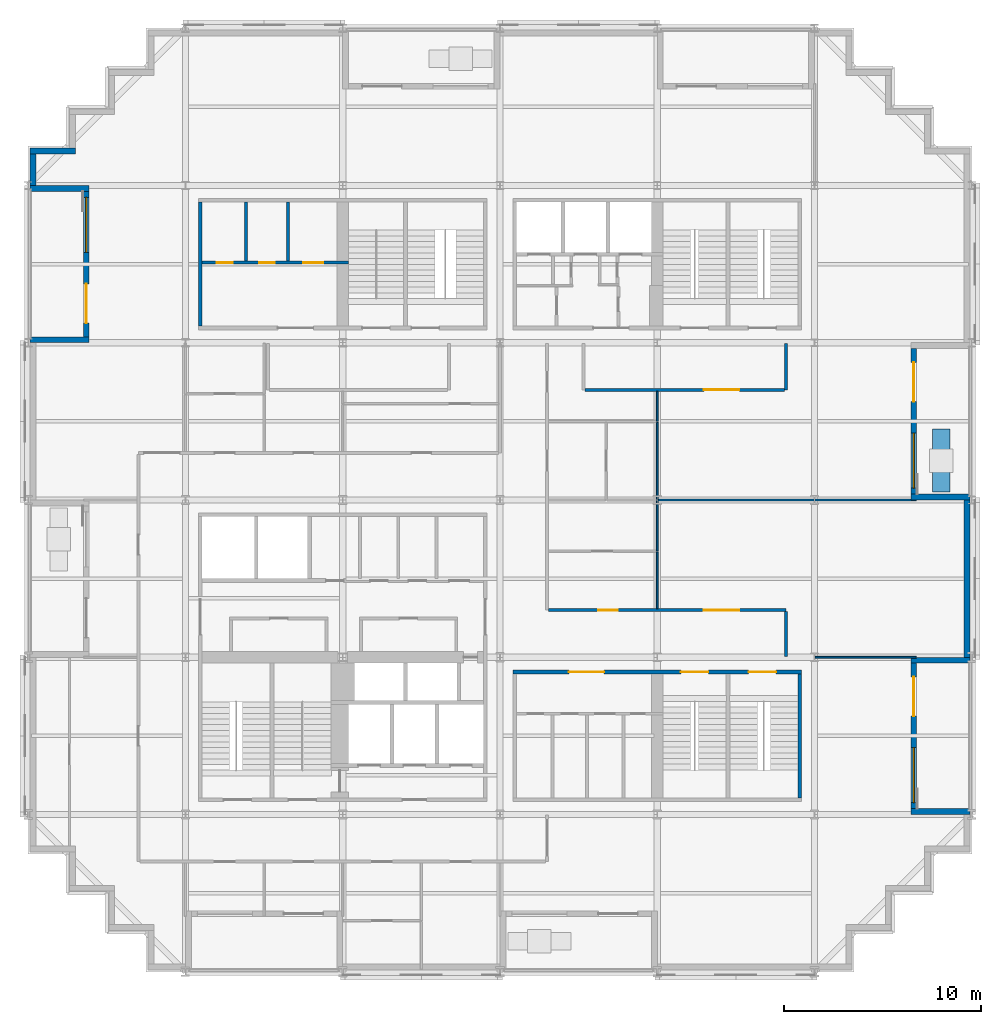
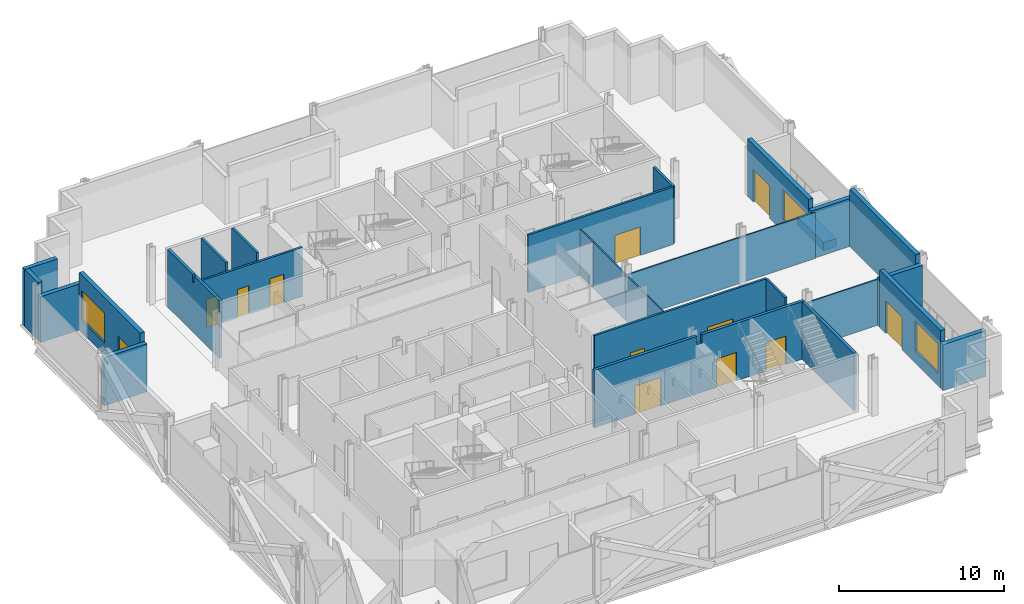
# One storey, part 8 of 14: 28 walls, 12 doors, 3 windows, 15 openings.
"""IFC4 building model written with IfcOpenShell, lengths in metres."""

from ifc_helpers import new_model, si_unit, direction, frame, frame_2d, origin, place, context, subcontext, project, spatial, polyline, rectangle, outline, extrude, material, layer, layer_set, type_object, element, fill, save


model = new_model("IFC4")

# Units and contexts
model_context = context("Model", 3, precision=1e-05, world=origin(), true_north=direction((0.0, 1.0)))
body_context = subcontext(model_context, "Body", "Model", "MODEL_VIEW")
ifc_project = project(units=[si_unit("LENGTHUNIT", "METRE"), si_unit("AREAUNIT", "SQUARE_METRE"), si_unit("VOLUMEUNIT", "CUBIC_METRE"), si_unit("PLANEANGLEUNIT", "RADIAN"), si_unit("MASSUNIT", "GRAM", prefix="KILO")], contexts=[model_context])

# Site, building, storey
site_placement = place(None, origin())
site = spatial("IfcSite", under=ifc_project, at=site_placement, CompositionType="ELEMENT")
building_placement = place(site_placement, origin())
building = spatial("IfcBuilding", under=site, at=building_placement, Name="Immortelle Media Tower", CompositionType="ELEMENT")
storey_placement = place(building_placement, frame((0.0, 0.0, 39.199951171875)))
storey = spatial("IfcBuildingStorey", under=building, at=storey_placement, Name="L05", CompositionType="ELEMENT", Elevation=39.199951171875)

# Wall, openings, doors
ifc_material_1 = material(Name="Fire-rated gypsum board", Category="gypsum")
ifc_layer_1 = layer(ifc_material_1, 0.02490234375)
ifc_material_2 = material(Name="Steel ASTM A653 SS Gr 50 stud frame with mineral wool", Category="steel")
ifc_layer_2 = layer(ifc_material_2, 0.10009765625)
ifc_layer_3 = layer(ifc_material_1, 0.02490234375)
ifc_layer_set_1 = layer_set([ifc_layer_1, ifc_layer_2, ifc_layer_3], Name="Steel ASTM A653 SS Gr 50 stud frame with mineral wool")
wall_type_1 = type_object("IfcWallType", Name="Core partition 150", PredefinedType="PARTITIONING", material=ifc_layer_set_1)
wall_1_placement = place(storey_placement, frame((8.85009765625, 36.074951171875, 0.0), z_axis=(0.0, 0.0, 1.0), x_axis=(1.0, 0.0, 0.0)))
wall_1 = element("IfcWall", 1, at=wall_1_placement, inside=storey, type_object=wall_type_1, Name="Core partition NW", PredefinedType="PARTITIONING", context=body_context, shape_type="SweptSolid", body=[
    extrude(rectangle(XDim=7.449951171875, YDim=0.14990234375, at=frame_2d((3.72509765625, 0.0))), origin(), (0.0, 0.0, 1.0), 3.632080078125),
])
opening_1_placement = place(wall_1_placement, frame((0.75, 0.0, 0.0)))
opening_1 = element("IfcOpeningElement", 2, at=opening_1_placement, cuts=wall_1, Name="Opening N1-K044", PredefinedType="OPENING", context=body_context, shape_type="SweptSolid", body=[
    extrude(rectangle(XDim=0.800048828125, YDim=2.10009765625, at=frame_2d((0.39990234375, 1.050048828125))), frame((0.0, 0.0849609375, 0.0), z_axis=(0.0, -1.0, 0.0), x_axis=(1.0, 0.0, 0.0)), (0.0, 0.0, 1.0), 0.169921875),
])
opening_2_placement = place(wall_1_placement, frame((2.89990234375, 0.0, 0.0)))
opening_2 = element("IfcOpeningElement", 3, at=opening_2_placement, cuts=wall_1, Name="Opening N1-K045", PredefinedType="OPENING", context=body_context, shape_type="SweptSolid", body=[
    extrude(rectangle(XDim=0.800048828125, YDim=2.10009765625, at=frame_2d((0.39990234375, 1.050048828125))), frame((0.0, 0.0849609375, 0.0), z_axis=(0.0, -1.0, 0.0), x_axis=(1.0, 0.0, 0.0)), (0.0, 0.0, 1.0), 0.169921875),
])
opening_3_placement = place(wall_1_placement, frame((5.14990234375, 0.0, 0.0)))
opening_3 = element("IfcOpeningElement", 4, at=opening_3_placement, cuts=wall_1, Name="Opening N1-K046", PredefinedType="OPENING", context=body_context, shape_type="SweptSolid", body=[
    extrude(rectangle(XDim=1.0, YDim=2.10009765625, at=frame_2d((0.5, 1.050048828125))), frame((0.0, 0.0849609375, 0.0), z_axis=(0.0, -1.0, 0.0), x_axis=(1.0, 0.0, 0.0)), (0.0, 0.0, 1.0), 0.169921875),
])
ifc_material_3 = material(Name="Timber", Category="wood")
door_type_1 = type_object("IfcDoorType", Name="Accessible toilet door 1000 x 2100", OperationType="NOTDEFINED", PredefinedType="NOTDEFINED", material=ifc_material_3)
door_1_placement = place(opening_3_placement, origin())
door_1 = element("IfcDoor", 5, at=door_1_placement, inside=storey, type_object=door_type_1, Name="Accessible toilet N1-K046", OperationType="SINGLE_SWING_LEFT", OverallHeight=2.10009765625, OverallWidth=1.0, PredefinedType="NOTDEFINED", context=body_context, shape_type="SweptSolid", body=[
    extrude(rectangle(XDim=1.0, YDim=2.10009765625, at=frame_2d((0.5, 1.050048828125))), frame((0.0, 0.02490234375, 0.0), z_axis=(0.0, -1.0, 0.0), x_axis=(1.0, 0.0, 0.0)), (0.0, 0.0, 1.0), 0.050048828125),
])
fill(opening_3, door_1)
door_type_2 = type_object("IfcDoorType", Name="Toilet door 800 x 2100", OperationType="NOTDEFINED", PredefinedType="NOTDEFINED", material=ifc_material_3)
door_2_placement = place(opening_1_placement, origin())
door_2 = element("IfcDoor", 6, at=door_2_placement, inside=storey, type_object=door_type_2, Name="Toilet N1-K044", OperationType="SINGLE_SWING_LEFT", OverallHeight=2.10009765625, OverallWidth=0.800048828125, PredefinedType="NOTDEFINED", context=body_context, shape_type="SweptSolid", body=[
    extrude(rectangle(XDim=0.800048828125, YDim=2.10009765625, at=frame_2d((0.39990234375, 1.050048828125))), frame((0.0, 0.02490234375, 0.0), z_axis=(0.0, -1.0, 0.0), x_axis=(1.0, 0.0, 0.0)), (0.0, 0.0, 1.0), 0.050048828125),
])
fill(opening_1, door_2)
door_3_placement = place(opening_2_placement, origin())
door_3 = element("IfcDoor", 7, at=door_3_placement, inside=storey, type_object=door_type_2, Name="Toilet N1-K045", OperationType="SINGLE_SWING_LEFT", OverallHeight=2.10009765625, OverallWidth=0.800048828125, PredefinedType="NOTDEFINED", context=body_context, shape_type="SweptSolid", body=[
    extrude(rectangle(XDim=0.800048828125, YDim=2.10009765625, at=frame_2d((0.39990234375, 1.050048828125))), frame((0.0, 0.02490234375, 0.0), z_axis=(0.0, -1.0, 0.0), x_axis=(1.0, 0.0, 0.0)), (0.0, 0.0, 1.0), 0.050048828125),
])
fill(opening_2, door_3)

# Walls
for number, where, z_axis, x_axis, name in (
    (8, (11.074951171875, 36.14990234375, 0.0), (0.0, 0.0, 1.0), (0.0, 1.0, 0.0), "Core partition NW"),
    (9, (13.22509765625, 36.14990234375, 0.0), (0.0, 0.0, 1.0), (0.0, 1.0, 0.0), "Core partition NW"),
):
    element("IfcWall", number, at=place(storey_placement, frame(where, z_axis=z_axis, x_axis=x_axis)), inside=storey, type_object=wall_type_1, Name=name, PredefinedType="PARTITIONING", context=body_context, shape_type="SweptSolid", body=[
        extrude(rectangle(XDim=3.0, YDim=0.14990234375, at=frame_2d((1.5, 0.0))), origin(), (0.0, 0.0, 1.0), 4.25),
    ])
ifc_layer_4 = layer(ifc_material_1, 0.03759765625)
ifc_layer_5 = layer(ifc_material_2, 0.125)
ifc_layer_6 = layer(ifc_material_1, 0.03759765625)
ifc_layer_set_2 = layer_set([ifc_layer_4, ifc_layer_5, ifc_layer_6], Name="Steel ASTM A653 SS Gr 50 stud frame with mineral wool")
wall_type_2 = type_object("IfcWallType", Name="Core shaft wall 200", PredefinedType="PARTITIONING", material=ifc_layer_set_2)
wall_2_placement = place(storey_placement, frame((8.75, 32.85009765625, 0.0), z_axis=(0.0, 0.0, 1.0), x_axis=(0.0, 1.0, 0.0)))
element("IfcWall", 10, at=wall_2_placement, inside=storey, type_object=wall_type_2, Name="Core shaft wall NW", PredefinedType="PARTITIONING", context=body_context, shape_type="SweptSolid", body=[
    extrude(outline(polyline([(0.0, 0.0), (6.2998046875, 0.0), (6.300048828125, 4.25), (3.238525390625, 4.25), (3.237548828125, 3.7080078125), (3.0625, 3.7080078125), (3.0615234375, 4.25), (0.0, 4.25), (0.0, 0.0)])), frame((0.0, 0.10009765625, 0.0), z_axis=(0.0, -1.0, 0.0), x_axis=(1.0, 0.0, 0.0)), (0.0, 0.0, 1.0), 0.199951171875),
])
ifc_layer_7 = layer(ifc_material_1, 0.012451171875)
ifc_layer_8 = layer(ifc_material_2, 0.125)
ifc_layer_9 = layer(ifc_material_1, 0.012451171875)
ifc_layer_set_3 = layer_set([ifc_layer_7, ifc_layer_8, ifc_layer_9], Name="Steel ASTM A653 SS Gr 50 stud frame with mineral wool")
wall_type_3 = type_object("IfcWallType", Name="Corridor wall 150", PredefinedType="PARTITIONING", material=ifc_layer_set_3)
wall_3_placement = place(storey_placement, frame((38.550048828125, 16.030029296875, 0.0), z_axis=(0.0, 0.0, 1.0), x_axis=(0.0, 1.0, 0.0)))
element("IfcWall", 11, at=wall_3_placement, inside=storey, type_object=wall_type_3, Name="Partition L05-014", PredefinedType="PARTITIONING", context=body_context, shape_type="SweptSolid", body=[
    extrude(rectangle(XDim=2.294921875, YDim=0.14990234375, at=frame_2d((1.1474609375, 0.0))), origin(), (0.0, 0.0, 1.0), 4.25),
])

# Wall, openings, doors
wall_4_placement = place(storey_placement, frame((26.47509765625, 18.39990234375, 0.0), z_axis=(0.0, 0.0, 1.0), x_axis=(1.0, 0.0, 0.0)))
wall_4 = element("IfcWall", 12, at=wall_4_placement, inside=storey, type_object=wall_type_3, Name="Partition L05-015", PredefinedType="PARTITIONING", context=body_context, shape_type="SweptSolid", body=[
    extrude(rectangle(XDim=12.074951171875, YDim=0.14990234375, at=frame_2d((6.03759765625, 0.0))), origin(), (0.0, 0.0, 1.0), 4.25),
])
opening_4_placement = place(wall_4_placement, frame((7.89990234375, 0.0, 0.0)))
opening_4 = element("IfcOpeningElement", 13, at=opening_4_placement, cuts=wall_4, Name="Opening N1-F010", PredefinedType="OPENING", context=body_context, shape_type="SweptSolid", body=[
    extrude(rectangle(XDim=1.800048828125, YDim=2.10009765625, at=frame_2d((0.89990234375, 1.050048828125))), frame((0.0, 0.0849609375, 0.0), z_axis=(0.0, -1.0, 0.0), x_axis=(1.0, 0.0, 0.0)), (0.0, 0.0, 1.0), 0.169921875),
])
opening_5_placement = place(wall_4_placement, frame((2.52490234375, 0.0, 0.0)))
opening_5 = element("IfcOpeningElement", 14, at=opening_5_placement, cuts=wall_4, Name="Opening N1-F011", PredefinedType="OPENING", context=body_context, shape_type="SweptSolid", body=[
    extrude(rectangle(XDim=1.0, YDim=2.10009765625, at=frame_2d((0.5, 1.050048828125))), frame((0.0, 0.0849609375, 0.0), z_axis=(0.0, -1.0, 0.0), x_axis=(1.0, 0.0, 0.0)), (0.0, 0.0, 1.0), 0.169921875),
])
ifc_material_4 = material(Name="Timber veneered door leaf, galvanised steel frame ASTM A653", Category="steel")
door_type_3 = type_object("IfcDoorType", Name="Room door 1000 x 2100", OperationType="NOTDEFINED", PredefinedType="DOOR", material=ifc_material_4)
door_4_placement = place(opening_5_placement, origin())
door_4 = element("IfcDoor", 15, at=door_4_placement, inside=storey, type_object=door_type_3, Name="Door N1-F011", OperationType="SINGLE_SWING_RIGHT", OverallHeight=2.10009765625, OverallWidth=1.0, PredefinedType="DOOR", context=body_context, shape_type="SweptSolid", body=[
    extrude(rectangle(XDim=1.0, YDim=2.10009765625, at=frame_2d((0.5, 1.050048828125))), frame((0.0, 0.02490234375, 0.0), z_axis=(0.0, -1.0, 0.0), x_axis=(1.0, 0.0, 0.0)), (0.0, 0.0, 1.0), 0.050048828125),
])
fill(opening_5, door_4)
door_type_4 = type_object("IfcDoorType", Name="Room door 1800 x 2100", OperationType="DOUBLE_DOOR_SINGLE_SWING", PredefinedType="DOOR", material=ifc_material_4)
door_5_placement = place(opening_4_placement, origin())
door_5 = element("IfcDoor", 16, at=door_5_placement, inside=storey, type_object=door_type_4, Name="Door N1-F010", OperationType="DOUBLE_DOOR_SINGLE_SWING", OverallHeight=2.10009765625, OverallWidth=1.800048828125, PredefinedType="DOOR", context=body_context, shape_type="SweptSolid", body=[
    extrude(rectangle(XDim=1.800048828125, YDim=2.10009765625, at=frame_2d((0.89990234375, 1.050048828125))), frame((0.0, 0.02490234375, 0.0), z_axis=(0.0, -1.0, 0.0), x_axis=(1.0, 0.0, 0.0)), (0.0, 0.0, 1.0), 0.050048828125),
])
fill(opening_4, door_5)

# Wall, opening, door
wall_5_placement = place(storey_placement, frame((28.324951171875, 29.60009765625, 0.0), z_axis=(0.0, 0.0, 1.0), x_axis=(1.0, 0.0, 0.0)))
wall_5 = element("IfcWall", 17, at=wall_5_placement, inside=storey, type_object=wall_type_3, Name="Partition L05-042", PredefinedType="PARTITIONING", context=body_context, shape_type="SweptSolid", body=[
    extrude(rectangle(XDim=10.150146484375, YDim=0.14990234375, at=frame_2d((5.0751953125, 0.0))), origin(), (0.0, 0.0, 1.0), 4.25),
])
opening_6_placement = place(wall_5_placement, frame((6.050048828125, 0.0, 0.0)))
opening_6 = element("IfcOpeningElement", 18, at=opening_6_placement, cuts=wall_5, Name="Opening N1-F021", PredefinedType="OPENING", context=body_context, shape_type="SweptSolid", body=[
    extrude(rectangle(XDim=1.800048828125, YDim=2.10009765625, at=frame_2d((0.89990234375, 1.050048828125))), frame((0.0, 0.0849609375, 0.0), z_axis=(0.0, -1.0, 0.0), x_axis=(1.0, 0.0, 0.0)), (0.0, 0.0, 1.0), 0.169921875),
])
door_6_placement = place(opening_6_placement, origin())
door_6 = element("IfcDoor", 19, at=door_6_placement, inside=storey, type_object=door_type_4, Name="Door N1-F021", OperationType="DOUBLE_DOOR_SINGLE_SWING", OverallHeight=2.10009765625, OverallWidth=1.800048828125, PredefinedType="DOOR", context=body_context, shape_type="SweptSolid", body=[
    extrude(rectangle(XDim=1.800048828125, YDim=2.10009765625, at=frame_2d((0.89990234375, 1.050048828125))), frame((0.0, 0.02490234375, 0.0), z_axis=(0.0, -1.0, 0.0), x_axis=(1.0, 0.0, 0.0)), (0.0, 0.0, 1.0), 0.050048828125),
])
fill(opening_6, door_6)

# Walls
wall_6_placement = place(storey_placement, frame((38.550048828125, 29.60009765625, 0.0), z_axis=(0.0, 0.0, 1.0), x_axis=(0.0, 1.0, 0.0)))
element("IfcWall", 20, at=wall_6_placement, inside=storey, type_object=wall_type_3, Name="Partition L05-044", PredefinedType="PARTITIONING", context=body_context, shape_type="SweptSolid", body=[
    extrude(rectangle(XDim=2.369873046875, YDim=0.14990234375, at=frame_2d((1.18505859375, 0.0))), origin(), (0.0, 0.0, 1.0), 4.25),
])
ifc_material_5 = material(Name="Pale aluminium cladding panel", Category="aluminium")
ifc_layer_10 = layer(ifc_material_5, 0.030029296875)
ifc_layer_11 = layer(ifc_material_2, 0.257568359375)
ifc_material_6 = material(Name="Moisture-resistant gypsum board", Category="gypsum")
ifc_layer_12 = layer(ifc_material_6, 0.012451171875)
ifc_layer_set_4 = layer_set([ifc_layer_10, ifc_layer_11, ifc_layer_12], Name="Steel ASTM A653 SS Gr 50 stud frame with mineral wool")
wall_type_4 = type_object("IfcWallType", Name="Facade wall 300", PredefinedType="SOLIDWALL", material=ifc_layer_set_4)
wall_7_placement = place(storey_placement, frame((0.25, 41.60009765625, 0.0), z_axis=(0.0, 0.0, 1.0), x_axis=(0.0, -1.0, 0.0)))
element("IfcWall", 21, at=wall_7_placement, inside=storey, type_object=wall_type_4, Name="Facade wall L05 W0", PredefinedType="SOLIDWALL", context=body_context, shape_type="SweptSolid", body=[
    extrude(rectangle(XDim=1.60009765625, YDim=0.300048828125, at=frame_2d((0.800048828125, 0.0))), origin(), (0.0, 0.0, 1.0), 4.25),
])

# Wall, openings, door, window
wall_8_placement = place(storey_placement, frame((2.949951171875, 39.699951171875, 0.0), z_axis=(0.0, 0.0, 1.0), x_axis=(0.0, -1.0, 0.0)))
wall_8 = element("IfcWall", 22, at=wall_8_placement, inside=storey, type_object=wall_type_4, Name="Loggia wall L05 W0", PredefinedType="SOLIDWALL", context=body_context, shape_type="SweptSolid", body=[
    extrude(rectangle(XDim=7.39990234375, YDim=0.300048828125, at=frame_2d((3.699951171875, 0.0))), origin(), (0.0, 0.0, 1.0), 4.25),
])
opening_7_placement = place(wall_8_placement, frame((0.300048828125, 0.0, 0.89990234375)))
opening_7 = element("IfcOpeningElement", 23, at=opening_7_placement, cuts=wall_8, Name="Opening W1", PredefinedType="OPENING", context=body_context, shape_type="SweptSolid", body=[
    extrude(rectangle(XDim=2.800048828125, YDim=2.199951171875, at=frame_2d((1.39990234375, 1.10009765625))), frame((0.0, 0.159912109375, 0.0), z_axis=(0.0, -1.0, 0.0), x_axis=(1.0, 0.0, 0.0)), (0.0, 0.0, 1.0), 0.320068359375),
])
opening_8_placement = place(wall_8_placement, frame((4.699951171875, 0.0, 0.0)))
opening_8 = element("IfcOpeningElement", 24, at=opening_8_placement, cuts=wall_8, Name="Opening N1-E001", PredefinedType="OPENING", context=body_context, shape_type="SweptSolid", body=[
    extrude(rectangle(XDim=2.0, YDim=2.39990234375, at=frame_2d((1.0, 1.199951171875))), frame((0.0, 0.159912109375, 0.0), z_axis=(0.0, -1.0, 0.0), x_axis=(1.0, 0.0, 0.0)), (0.0, 0.0, 1.0), 0.320068359375),
])
ifc_material_7 = material(Name="Aluminium frame, glazed leaves", Category="aluminium")
door_type_5 = type_object("IfcDoorType", Name="Loggia door 2000 x 2400", OperationType="DOUBLE_DOOR_SINGLE_SWING", PredefinedType="DOOR", material=ifc_material_7)
door_7_placement = place(opening_8_placement, origin())
door_7 = element("IfcDoor", 25, at=door_7_placement, inside=storey, type_object=door_type_5, Name="Door N1-E001", OperationType="DOUBLE_DOOR_SINGLE_SWING", OverallHeight=2.39990234375, OverallWidth=2.0, PredefinedType="DOOR", context=body_context, shape_type="SweptSolid", body=[
    extrude(rectangle(XDim=2.0, YDim=2.39990234375, at=frame_2d((1.0, 1.199951171875))), frame((0.0, 0.02490234375, 0.0), z_axis=(0.0, -1.0, 0.0), x_axis=(1.0, 0.0, 0.0)), (0.0, 0.0, 1.0), 0.050048828125),
])
fill(opening_8, door_7)
ifc_material_8 = material(Name="Aluminium frame", Category="aluminium")
window_type = type_object("IfcWindowType", Name="Window 2800 x 2200", PartitioningType="SINGLE_PANEL", PredefinedType="WINDOW", material=ifc_material_8)
window_1_placement = place(opening_7_placement, origin())
window_1 = element("IfcWindow", 26, at=window_1_placement, inside=storey, type_object=window_type, Name="Window L05 L05-R0-B0", OverallHeight=2.199951171875, OverallWidth=2.800048828125, PartitioningType="SINGLE_PANEL", PredefinedType="WINDOW", context=body_context, shape_type="SweptSolid", body=[
    extrude(rectangle(XDim=2.800048828125, YDim=2.199951171875, at=frame_2d((1.39990234375, 1.10009765625))), frame((0.0, 0.030029296875, 0.0), z_axis=(0.0, -1.0, 0.0), x_axis=(1.0, 0.0, 0.0)), (0.0, 0.0, 1.0), 0.06005859375),
])
fill(opening_7, window_1)

# Walls
wall_9_placement = place(storey_placement, frame((0.10009765625, 39.85009765625, 0.0), z_axis=(0.0, 0.0, 1.0), x_axis=(1.0, 0.0, 0.0)))
element("IfcWall", 27, at=wall_9_placement, inside=storey, type_object=wall_type_4, Name="Loggia cheek wall L05 W", PredefinedType="SOLIDWALL", context=body_context, shape_type="SweptSolid", body=[
    extrude(rectangle(XDim=3.0, YDim=0.300048828125, at=frame_2d((1.5, 0.0))), origin(), (0.0, 0.0, 1.0), 3.39013671875),
])
wall_10_placement = place(storey_placement, frame((0.10009765625, 32.14990234375, 0.0), z_axis=(0.0, 0.0, 1.0), x_axis=(1.0, 0.0, 0.0)))
element("IfcWall", 28, at=wall_10_placement, inside=storey, type_object=wall_type_4, Name="Loggia cheek wall L05 W", PredefinedType="SOLIDWALL", context=body_context, shape_type="SweptSolid", body=[
    extrude(rectangle(XDim=3.0, YDim=0.300048828125, at=frame_2d((1.5, 0.0))), origin(), (0.0, 0.0, 1.0), 3.552978515625),
])

# Wall, openings, door, window
wall_11_placement = place(storey_placement, frame((45.050048828125, 8.300048828125, 0.0), z_axis=(0.0, 0.0, 1.0), x_axis=(0.0, 1.0, 0.0)))
wall_11 = element("IfcWall", 29, at=wall_11_placement, inside=storey, type_object=wall_type_4, Name="Loggia wall L05 E14", PredefinedType="SOLIDWALL", context=body_context, shape_type="SweptSolid", body=[
    extrude(rectangle(XDim=7.39990234375, YDim=0.300048828125, at=frame_2d((3.699951171875, 0.0))), origin(), (0.0, 0.0, 1.0), 4.25),
])
opening_9_placement = place(wall_11_placement, frame((0.300048828125, 0.0, 0.89990234375)))
opening_9 = element("IfcOpeningElement", 30, at=opening_9_placement, cuts=wall_11, Name="Opening W1", PredefinedType="OPENING", context=body_context, shape_type="SweptSolid", body=[
    extrude(rectangle(XDim=2.800048828125, YDim=2.199951171875, at=frame_2d((1.39990234375, 1.10009765625))), frame((0.0, 0.159912109375, 0.0), z_axis=(0.0, -1.0, 0.0), x_axis=(1.0, 0.0, 0.0)), (0.0, 0.0, 1.0), 0.320068359375),
])
opening_10_placement = place(wall_11_placement, frame((4.699951171875, 0.0, 0.0)))
opening_10 = element("IfcOpeningElement", 31, at=opening_10_placement, cuts=wall_11, Name="Opening N1-E005", PredefinedType="OPENING", context=body_context, shape_type="SweptSolid", body=[
    extrude(rectangle(XDim=2.0, YDim=2.39990234375, at=frame_2d((1.0, 1.199951171875))), frame((0.0, 0.159912109375, 0.0), z_axis=(0.0, -1.0, 0.0), x_axis=(1.0, 0.0, 0.0)), (0.0, 0.0, 1.0), 0.320068359375),
])
door_8_placement = place(opening_10_placement, origin())
door_8 = element("IfcDoor", 32, at=door_8_placement, inside=storey, type_object=door_type_5, Name="Door N1-E005", OperationType="DOUBLE_DOOR_SINGLE_SWING", OverallHeight=2.39990234375, OverallWidth=2.0, PredefinedType="DOOR", context=body_context, shape_type="SweptSolid", body=[
    extrude(rectangle(XDim=2.0, YDim=2.39990234375, at=frame_2d((1.0, 1.199951171875))), frame((0.0, 0.02490234375, 0.0), z_axis=(0.0, -1.0, 0.0), x_axis=(1.0, 0.0, 0.0)), (0.0, 0.0, 1.0), 0.050048828125),
])
fill(opening_10, door_8)
window_2_placement = place(opening_9_placement, origin())
window_2 = element("IfcWindow", 33, at=window_2_placement, inside=storey, type_object=window_type, Name="Window L05 L05-R14-B0", OverallHeight=2.199951171875, OverallWidth=2.800048828125, PartitioningType="SINGLE_PANEL", PredefinedType="WINDOW", context=body_context, shape_type="SweptSolid", body=[
    extrude(rectangle(XDim=2.800048828125, YDim=2.199951171875, at=frame_2d((1.39990234375, 1.10009765625))), frame((0.0, 0.030029296875, 0.0), z_axis=(0.0, -1.0, 0.0), x_axis=(1.0, 0.0, 0.0)), (0.0, 0.0, 1.0), 0.06005859375),
])
fill(opening_9, window_2)

# Walls
wall_12_placement = place(storey_placement, frame((47.89990234375, 8.14990234375, 0.0), z_axis=(0.0, 0.0, 1.0), x_axis=(-1.0, 0.0, 0.0)))
element("IfcWall", 34, at=wall_12_placement, inside=storey, type_object=wall_type_4, Name="Loggia cheek wall L05 E", PredefinedType="SOLIDWALL", context=body_context, shape_type="SweptSolid", body=[
    extrude(rectangle(XDim=3.0, YDim=0.300048828125, at=frame_2d((1.5, 0.0))), origin(), (0.0, 0.0, 1.0), 3.39013671875),
])
wall_13_placement = place(storey_placement, frame((47.89990234375, 15.85009765625, 0.0), z_axis=(0.0, 0.0, 1.0), x_axis=(-1.0, 0.0, 0.0)))
element("IfcWall", 35, at=wall_13_placement, inside=storey, type_object=wall_type_4, Name="Loggia cheek wall L05 E", PredefinedType="SOLIDWALL", context=body_context, shape_type="SweptSolid", body=[
    extrude(rectangle(XDim=3.0, YDim=0.300048828125, at=frame_2d((1.5, 0.0))), origin(), (0.0, 0.0, 1.0), 3.552978515625),
])
wall_14_placement = place(storey_placement, frame((47.75, 16.0, 0.0), z_axis=(0.0, 0.0, 1.0), x_axis=(0.0, 1.0, 0.0)))
element("IfcWall", 36, at=wall_14_placement, inside=storey, type_object=wall_type_4, Name="Facade wall L05 E14", PredefinedType="SOLIDWALL", context=body_context, shape_type="SweptSolid", body=[
    extrude(rectangle(XDim=8.0, YDim=0.300048828125, at=frame_2d((4.0, 0.0))), origin(), (0.0, 0.0, 1.0), 4.25),
])

# Wall, openings, door, window
wall_15_placement = place(storey_placement, frame((45.050048828125, 24.300048828125, 0.0), z_axis=(0.0, 0.0, 1.0), x_axis=(0.0, 1.0, 0.0)))
wall_15 = element("IfcWall", 37, at=wall_15_placement, inside=storey, type_object=wall_type_4, Name="Loggia wall L05 E14", PredefinedType="SOLIDWALL", context=body_context, shape_type="SweptSolid", body=[
    extrude(rectangle(XDim=7.39990234375, YDim=0.300048828125, at=frame_2d((3.699951171875, 0.0))), origin(), (0.0, 0.0, 1.0), 4.25),
])
opening_11_placement = place(wall_15_placement, frame((0.300048828125, 0.0, 0.89990234375)))
opening_11 = element("IfcOpeningElement", 38, at=opening_11_placement, cuts=wall_15, Name="Opening W1", PredefinedType="OPENING", context=body_context, shape_type="SweptSolid", body=[
    extrude(rectangle(XDim=2.800048828125, YDim=2.199951171875, at=frame_2d((1.39990234375, 1.10009765625))), frame((0.0, 0.159912109375, 0.0), z_axis=(0.0, -1.0, 0.0), x_axis=(1.0, 0.0, 0.0)), (0.0, 0.0, 1.0), 0.320068359375),
])
opening_12_placement = place(wall_15_placement, frame((4.699951171875, 0.0, 0.0)))
opening_12 = element("IfcOpeningElement", 39, at=opening_12_placement, cuts=wall_15, Name="Opening N1-E006", PredefinedType="OPENING", context=body_context, shape_type="SweptSolid", body=[
    extrude(rectangle(XDim=2.0, YDim=2.39990234375, at=frame_2d((1.0, 1.199951171875))), frame((0.0, 0.159912109375, 0.0), z_axis=(0.0, -1.0, 0.0), x_axis=(1.0, 0.0, 0.0)), (0.0, 0.0, 1.0), 0.320068359375),
])
door_9_placement = place(opening_12_placement, origin())
door_9 = element("IfcDoor", 40, at=door_9_placement, inside=storey, type_object=door_type_5, Name="Door N1-E006", OperationType="DOUBLE_DOOR_SINGLE_SWING", OverallHeight=2.39990234375, OverallWidth=2.0, PredefinedType="DOOR", context=body_context, shape_type="SweptSolid", body=[
    extrude(rectangle(XDim=2.0, YDim=2.39990234375, at=frame_2d((1.0, 1.199951171875))), frame((0.0, 0.02490234375, 0.0), z_axis=(0.0, -1.0, 0.0), x_axis=(1.0, 0.0, 0.0)), (0.0, 0.0, 1.0), 0.050048828125),
])
fill(opening_12, door_9)
window_3_placement = place(opening_11_placement, origin())
window_3 = element("IfcWindow", 41, at=window_3_placement, inside=storey, type_object=window_type, Name="Window L05 L05-R14-B2", OverallHeight=2.199951171875, OverallWidth=2.800048828125, PartitioningType="SINGLE_PANEL", PredefinedType="WINDOW", context=body_context, shape_type="SweptSolid", body=[
    extrude(rectangle(XDim=2.800048828125, YDim=2.199951171875, at=frame_2d((1.39990234375, 1.10009765625))), frame((0.0, 0.030029296875, 0.0), z_axis=(0.0, -1.0, 0.0), x_axis=(1.0, 0.0, 0.0)), (0.0, 0.0, 1.0), 0.06005859375),
])
fill(opening_11, window_3)

# Walls
wall_16_placement = place(storey_placement, frame((47.89990234375, 24.14990234375, 0.0), z_axis=(0.0, 0.0, 1.0), x_axis=(-1.0, 0.0, 0.0)))
element("IfcWall", 42, at=wall_16_placement, inside=storey, type_object=wall_type_4, Name="Loggia cheek wall L05 E", PredefinedType="SOLIDWALL", context=body_context, shape_type="SweptSolid", body=[
    extrude(rectangle(XDim=3.0, YDim=0.300048828125, at=frame_2d((1.5, 0.0))), origin(), (0.0, 0.0, 1.0), 3.552978515625),
])
wall_17_placement = place(storey_placement, frame((2.39990234375, 41.75, 0.0), z_axis=(0.0, 0.0, 1.0), x_axis=(-1.0, 0.0, 0.0)))
element("IfcWall", 43, at=wall_17_placement, inside=storey, type_object=wall_type_4, Name="Facade wall L05 N27", PredefinedType="SOLIDWALL", context=body_context, shape_type="SweptSolid", body=[
    extrude(rectangle(XDim=2.2998046875, YDim=0.300048828125, at=frame_2d((1.14990234375, 0.0))), origin(), (0.0, 0.0, 1.0), 4.25),
])
ifc_material_9 = material(Name="Gypsum board", Category="gypsum")
ifc_layer_13 = layer(ifc_material_9, 0.012451171875)
ifc_layer_14 = layer(ifc_material_2, 0.074951171875)
ifc_layer_15 = layer(ifc_material_9, 0.012451171875)
ifc_layer_set_5 = layer_set([ifc_layer_13, ifc_layer_14, ifc_layer_15], Name="Steel ASTM A653 SS Gr 50 stud frame with mineral wool")
wall_type_5 = type_object("IfcWallType", Name="Partition 100", PredefinedType="PARTITIONING", material=ifc_layer_set_5)
wall_18_placement = place(storey_placement, frame((40.030029296875, 16.0, 0.0), z_axis=(0.0, 0.0, 1.0), x_axis=(1.0, 0.0, 0.0)))
element("IfcWall", 44, at=wall_18_placement, inside=storey, type_object=wall_type_5, Name="Partition L05-013", PredefinedType="PARTITIONING", context=body_context, shape_type="SweptSolid", body=[
    extrude(rectangle(XDim=5.139892578125, YDim=0.10009765625, at=frame_2d((2.56982421875, 0.0))), origin(), (0.0, 0.0, 1.0), 3.39111328125),
])
wall_19_placement = place(storey_placement, frame((32.0, 18.47509765625, 0.0), z_axis=(0.0, 0.0, 1.0), x_axis=(0.0, 1.0, 0.0)))
element("IfcWall", 45, at=wall_19_placement, inside=storey, type_object=wall_type_5, Name="Partition L05-017", PredefinedType="PARTITIONING", context=body_context, shape_type="SweptSolid", body=[
    extrude(rectangle(XDim=2.875, YDim=0.10009765625, at=frame_2d((1.4375, 0.0))), origin(), (0.0, 0.0, 1.0), 3.39111328125),
])
wall_20_placement = place(storey_placement, frame((32.0, 21.39990234375, 0.0), z_axis=(0.0, 0.0, 1.0), x_axis=(0.0, 1.0, 0.0)))
element("IfcWall", 46, at=wall_20_placement, inside=storey, type_object=wall_type_5, Name="Partition L05-019", PredefinedType="PARTITIONING", context=body_context, shape_type="SweptSolid", body=[
    extrude(rectangle(XDim=2.550048828125, YDim=0.10009765625, at=frame_2d((1.27490234375, 0.0))), origin(), (0.0, 0.0, 1.0), 3.39111328125),
])
wall_21_placement = place(storey_placement, frame((32.050048828125, 24.0, 0.0), z_axis=(0.0, 0.0, 1.0), x_axis=(1.0, 0.0, 0.0)))
element("IfcWall", 47, at=wall_21_placement, inside=storey, type_object=wall_type_5, Name="Partition L05-024", PredefinedType="PARTITIONING", context=body_context, shape_type="SweptSolid", body=[
    extrude(rectangle(XDim=13.119873046875, YDim=0.10009765625, at=frame_2d((6.56005859375, 0.0))), origin(), (0.0, 0.0, 1.0), 3.39111328125),
])
wall_22_placement = place(storey_placement, frame((32.0, 24.0, 0.0), z_axis=(0.0, 0.0, 1.0), x_axis=(0.0, 1.0, 0.0)))
element("IfcWall", 48, at=wall_22_placement, inside=storey, type_object=wall_type_5, Name="Partition L05-025", PredefinedType="PARTITIONING", context=body_context, shape_type="SweptSolid", body=[
    extrude(rectangle(XDim=3.949951171875, YDim=0.10009765625, at=frame_2d((1.97509765625, 0.0))), origin(), (0.0, 0.0, 1.0), 3.39111328125),
])
wall_23_placement = place(storey_placement, frame((32.0, 28.0, 0.0), z_axis=(0.0, 0.0, 1.0), x_axis=(0.0, 1.0, 0.0)))
element("IfcWall", 49, at=wall_23_placement, inside=storey, type_object=wall_type_5, Name="Partition L05-033", PredefinedType="PARTITIONING", context=body_context, shape_type="SweptSolid", body=[
    extrude(rectangle(XDim=1.52490234375, YDim=0.10009765625, at=frame_2d((0.762451171875, 0.0))), origin(), (0.0, 0.0, 1.0), 3.39111328125),
])
ifc_layer_16 = layer(ifc_material_5, 0.0029296875)
ifc_material_10 = material(Name="Steel ASTM A572 Gr 50 planter shell", Category="steel")
ifc_layer_17 = layer(ifc_material_10, 0.011962890625)
ifc_material_11 = material(Name="Planting substrate", Category="soil")
ifc_layer_18 = layer(ifc_material_11, 0.873046875)
ifc_layer_19 = layer(ifc_material_10, 0.011962890625)
ifc_layer_set_6 = layer_set([ifc_layer_16, ifc_layer_17, ifc_layer_18, ifc_layer_19], Name="Steel ASTM A572 Gr 50 planter shell")
wall_type_6 = type_object("IfcWallType", Name="Planter wall 900", PredefinedType="SOLIDWALL", material=ifc_layer_set_6)
wall_24_placement = place(storey_placement, frame((46.449951171875, 24.39990234375, 0.0), z_axis=(0.0, 0.0, 1.0), x_axis=(0.0, 1.0, 0.0)))
element("IfcWall", 50, at=wall_24_placement, inside=storey, type_object=wall_type_6, Name="Planter L05 E2", PredefinedType="SOLIDWALL", context=body_context, shape_type="SweptSolid", body=[
    extrude(rectangle(XDim=3.2001953125, YDim=0.89990234375, at=frame_2d((1.60009765625, 0.0))), origin(), (0.0, 0.0, 1.0), 0.60009765625),
])

# Wall, openings, doors
ifc_material_12 = material(Name="Concrete C60", Category="concrete")
ifc_layer_20 = layer(ifc_material_12, 0.199951171875)
ifc_layer_set_7 = layer_set([ifc_layer_20], Name="Concrete C60")
wall_type_7 = type_object("IfcWallType", Name="Stair shaft wall 200", PredefinedType="PARTITIONING", material=ifc_layer_set_7)
wall_25_placement = place(storey_placement, frame((24.64990234375, 15.25, 0.0), z_axis=(0.0, 0.0, 1.0), x_axis=(1.0, 0.0, 0.0)))
wall_25 = element("IfcWall", 51, at=wall_25_placement, inside=storey, type_object=wall_type_7, Name="Stair shaft wall SE", PredefinedType="PARTITIONING", context=body_context, shape_type="SweptSolid", body=[
    extrude(outline(polyline([(0.0, 0.0), (14.7001953125, 0.0), (14.699951171875, 4.25), (7.51708984375, 4.25), (7.51611328125, 3.632080078125), (7.18408203125, 3.632080078125), (7.18310546875, 4.25), (0.0, 4.25), (0.0, 0.0)])), frame((0.0, 0.10009765625, 0.0), z_axis=(0.0, -1.0, 0.0), x_axis=(1.0, 0.0, 0.0)), (0.0, 0.0, 1.0), 0.199951171875),
])
opening_13_placement = place(wall_25_placement, frame((2.85009765625, 0.0, 0.0)))
opening_13 = element("IfcOpeningElement", 52, at=opening_13_placement, cuts=wall_25, Name="Opening N1-K017", PredefinedType="OPENING", context=body_context, shape_type="SweptSolid", body=[
    extrude(rectangle(XDim=1.800048828125, YDim=2.10009765625, at=frame_2d((0.89990234375, 1.050048828125))), frame((0.0, 0.10986328125, 0.0), z_axis=(0.0, -1.0, 0.0), x_axis=(1.0, 0.0, 0.0)), (0.0, 0.0, 1.0), 0.219970703125),
])
opening_14_placement = place(wall_25_placement, frame((9.949951171875, 0.0, 0.0), z_axis=(0.0, 0.0, 1.0), x_axis=(-1.0, 0.0, 0.0)))
opening_14 = element("IfcOpeningElement", 53, at=opening_14_placement, cuts=wall_25, Name="Opening N1-K019", PredefinedType="OPENING", context=body_context, shape_type="SweptSolid", body=[
    extrude(rectangle(XDim=1.39990234375, YDim=2.10009765625, at=frame_2d((0.699951171875, 1.050048828125))), frame((0.0, 0.10986328125, 0.0), z_axis=(0.0, -1.0, 0.0), x_axis=(1.0, 0.0, 0.0)), (0.0, 0.0, 1.0), 0.219970703125),
])
opening_15_placement = place(wall_25_placement, frame((13.39990234375, 0.0, 0.0), z_axis=(0.0, 0.0, 1.0), x_axis=(-1.0, 0.0, 0.0)))
opening_15 = element("IfcOpeningElement", 54, at=opening_15_placement, cuts=wall_25, Name="Opening N1-K020", PredefinedType="OPENING", context=body_context, shape_type="SweptSolid", body=[
    extrude(rectangle(XDim=1.39990234375, YDim=2.10009765625, at=frame_2d((0.699951171875, 1.050048828125))), frame((0.0, 0.10986328125, 0.0), z_axis=(0.0, -1.0, 0.0), x_axis=(1.0, 0.0, 0.0)), (0.0, 0.0, 1.0), 0.219970703125),
])
ifc_material_13 = material(Name="Galvanised steel door leaf and frame ASTM A653", Category="steel")
door_type_6 = type_object("IfcDoorType", Name="Lift lobby door 1800 x 2100", OperationType="DOUBLE_DOOR_SINGLE_SWING", PredefinedType="NOTDEFINED", material=ifc_material_13)
door_10_placement = place(opening_13_placement, origin())
door_10 = element("IfcDoor", 55, at=door_10_placement, inside=storey, type_object=door_type_6, Name="Lift lobby N1-K017", OperationType="DOUBLE_DOOR_SINGLE_SWING", OverallHeight=2.10009765625, OverallWidth=1.800048828125, PredefinedType="NOTDEFINED", context=body_context, shape_type="SweptSolid", body=[
    extrude(rectangle(XDim=1.800048828125, YDim=2.10009765625, at=frame_2d((0.89990234375, 1.050048828125))), frame((0.0, 0.02490234375, 0.0), z_axis=(0.0, -1.0, 0.0), x_axis=(1.0, 0.0, 0.0)), (0.0, 0.0, 1.0), 0.050048828125),
])
fill(opening_13, door_10)
door_type_7 = type_object("IfcDoorType", Name="Stair door 1400 x 2100", OperationType="DOUBLE_DOOR_SINGLE_SWING", PredefinedType="NOTDEFINED", material=ifc_material_13)
door_11_placement = place(opening_14_placement, origin())
door_11 = element("IfcDoor", 56, at=door_11_placement, inside=storey, type_object=door_type_7, Name="Stair N1-K019", OperationType="DOUBLE_DOOR_SINGLE_SWING", OverallHeight=2.10009765625, OverallWidth=1.39990234375, PredefinedType="NOTDEFINED", context=body_context, shape_type="SweptSolid", body=[
    extrude(rectangle(XDim=1.39990234375, YDim=2.10009765625, at=frame_2d((0.699951171875, 1.050048828125))), frame((0.0, 0.02490234375, 0.0), z_axis=(0.0, -1.0, 0.0), x_axis=(1.0, 0.0, 0.0)), (0.0, 0.0, 1.0), 0.050048828125),
])
fill(opening_14, door_11)
door_12_placement = place(opening_15_placement, origin())
door_12 = element("IfcDoor", 57, at=door_12_placement, inside=storey, type_object=door_type_7, Name="Stair N1-K020", OperationType="DOUBLE_DOOR_SINGLE_SWING", OverallHeight=2.10009765625, OverallWidth=1.39990234375, PredefinedType="NOTDEFINED", context=body_context, shape_type="SweptSolid", body=[
    extrude(rectangle(XDim=1.39990234375, YDim=2.10009765625, at=frame_2d((0.699951171875, 1.050048828125))), frame((0.0, 0.02490234375, 0.0), z_axis=(0.0, -1.0, 0.0), x_axis=(1.0, 0.0, 0.0)), (0.0, 0.0, 1.0), 0.050048828125),
])
fill(opening_15, door_12)

# Wall
wall_26_placement = place(storey_placement, frame((39.25, 8.85009765625, 0.0), z_axis=(0.0, 0.0, 1.0), x_axis=(0.0, 1.0, 0.0)))
element("IfcWall", 58, at=wall_26_placement, inside=storey, type_object=wall_type_7, Name="Stair shaft wall SE", PredefinedType="PARTITIONING", context=body_context, shape_type="SweptSolid", body=[
    extrude(rectangle(XDim=6.2998046875, YDim=0.199951171875, at=frame_2d((3.14990234375, 0.0))), origin(), (0.0, 0.0, 1.0), 4.25),
])

save(model, "model.ifc")
